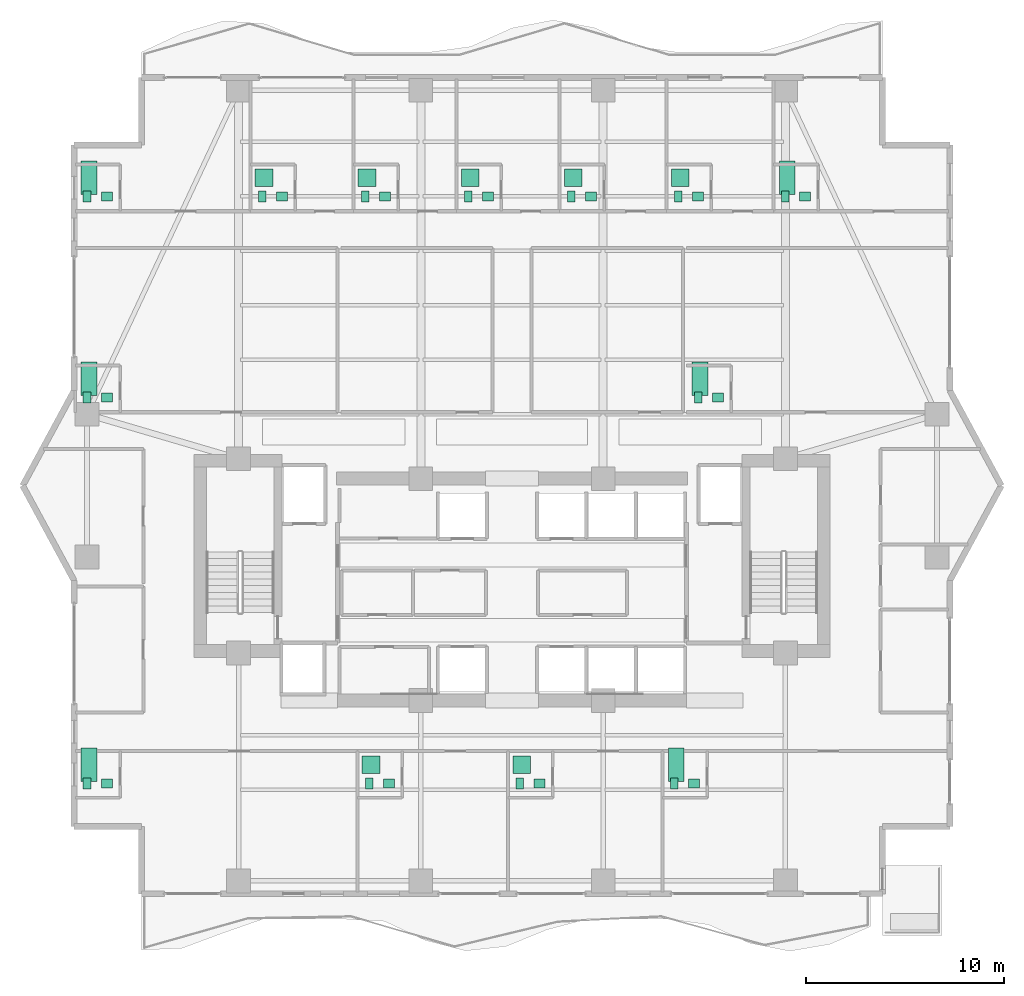
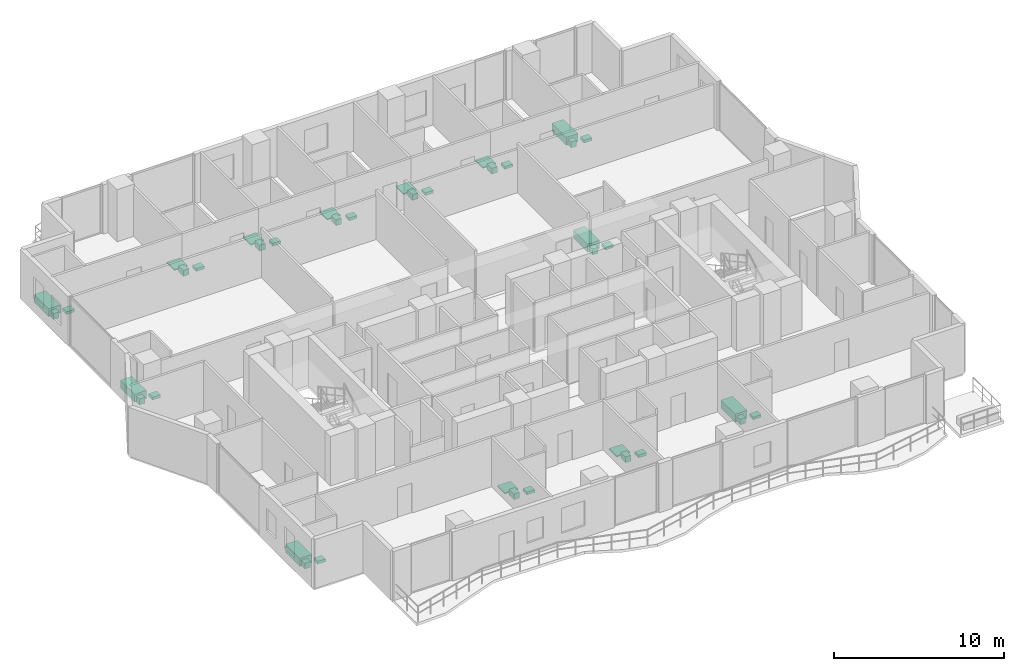
# One storey, part 32 of 32: 39 sanitary terminals.
"""IFC4 building model written with IfcOpenShell, lengths in metres."""

from ifc_helpers import new_model, si_unit, direction, frame, origin, origin_2d, place, context, subcontext, project, spatial, rectangle, extrude, material, type_object, element, save


model = new_model("IFC4")

# Units and contexts
model_context = context("Model", 3, precision=1e-05, world=origin(), true_north=direction((0.0, 1.0)))
body_context = subcontext(model_context, "Body", "Model", "MODEL_VIEW")
ifc_project = project(units=[si_unit("LENGTHUNIT", "METRE"), si_unit("AREAUNIT", "SQUARE_METRE"), si_unit("VOLUMEUNIT", "CUBIC_METRE"), si_unit("PLANEANGLEUNIT", "RADIAN"), si_unit("MASSUNIT", "GRAM", prefix="KILO")], contexts=[model_context])

# Site, building, storey
site_placement = place(None, origin())
site = spatial("IfcSite", under=ifc_project, at=site_placement, CompositionType="ELEMENT")
building_placement = place(site_placement, origin())
building = spatial("IfcBuilding", under=site, at=building_placement, Name="Zuhayl Quay Hotel", CompositionType="ELEMENT")
storey_placement = place(building_placement, frame((0.0, 0.0, 203.64990234375)))
storey = spatial("IfcBuildingStorey", under=building, at=storey_placement, Name="L51", CompositionType="ELEMENT", Elevation=203.64990234375)

# Sanitary terminals
ifc_material = material(Name="Vitreous Porcelain Sanitaryware")
sanitary_terminal_type_1 = type_object("IfcSanitaryTerminalType", Name="SAN_BASIN", PredefinedType="WASHHANDBASIN", material=ifc_material)
for number, where, z_axis, x_axis, name in (
    (1, (-20.449951171875, 27.590087890625, 0.0), (0.0, 0.0, 1.0), (1.0, 0.0, 0.0), "L51 Sanitary Fixture WASHHANDBASIN"),
    (2, (-11.610107421875, 27.590087890625, 0.0), (0.0, 0.0, 1.0), (1.0, 0.0, 0.0), "L51 Sanitary Fixture WASHHANDBASIN"),
    (3, (-6.409912109375, 27.590087890625, 0.0), (0.0, 0.0, 1.0), (1.0, 0.0, 0.0), "L51 Sanitary Fixture WASHHANDBASIN"),
    (4, (-1.2099609375, 27.590087890625, 0.0), (0.0, 0.0, 1.0), (1.0, 0.0, 0.0), "L51 Sanitary Fixture WASHHANDBASIN"),
    (5, (3.989990234375, 27.590087890625, 0.0), (0.0, 0.0, 1.0), (1.0, 0.0, 0.0), "L51 Sanitary Fixture WASHHANDBASIN"),
    (6, (9.389892578125, 27.590087890625, 0.0), (0.0, 0.0, 1.0), (1.0, 0.0, 0.0), "L51 Sanitary Fixture WASHHANDBASIN"),
    (7, (14.7900390625, 27.590087890625, 0.0), (0.0, 0.0, 1.0), (1.0, 0.0, 0.0), "L51 Sanitary Fixture WASHHANDBASIN"),
    (8, (-20.449951171875, 17.43994140625, 0.0), (0.0, 0.0, 1.0), (1.0, 0.0, 0.0), "L51 Sanitary Fixture WASHHANDBASIN"),
    (9, (10.389892578125, 17.43994140625, 0.0), (0.0, 0.0, 1.0), (1.0, 0.0, 0.0), "L51 Sanitary Fixture WASHHANDBASIN"),
    (10, (-20.449951171875, -2.0400390625, 0.0), (0.0, 0.0, 1.0), (1.0, 0.0, 0.0), "L51 Sanitary Fixture WASHHANDBASIN"),
    (11, (-6.2099609375, -2.0400390625, 0.0), (0.0, 0.0, 1.0), (1.0, 0.0, 0.0), "L51 Sanitary Fixture WASHHANDBASIN"),
    (12, (1.389892578125, -2.0400390625, 0.0), (0.0, 0.0, 1.0), (1.0, 0.0, 0.0), "L51 Sanitary Fixture WASHHANDBASIN"),
    (13, (9.18994140625, -2.0400390625, 0.0), (0.0, 0.0, 1.0), (1.0, 0.0, 0.0), "L51 Sanitary Fixture WASHHANDBASIN"),
):
    element("IfcSanitaryTerminal", number, at=place(storey_placement, frame(where, z_axis=z_axis, x_axis=x_axis)), inside=storey, type_object=sanitary_terminal_type_1, Name=name, PredefinedType="WASHHANDBASIN", context=body_context, shape_type="SweptSolid", body=[
        extrude(rectangle(XDim=0.550048828125, YDim=0.449951171875, at=origin_2d()), origin(), (0.0, 0.0, 1.0), 0.199951171875),
    ])
sanitary_terminal_type_2 = type_object("IfcSanitaryTerminalType", Name="SAN_BATH", PredefinedType="BATH", material=ifc_material)
for number, where, z_axis, x_axis, name in (
    (14, (-21.35009765625, 28.5400390625, 0.0), (0.0, 0.0, 1.0), (1.0, 0.0, 0.0), "L51 Sanitary Fixture BATH"),
    (15, (13.889892578125, 28.5400390625, 0.0), (0.0, 0.0, 1.0), (1.0, 0.0, 0.0), "L51 Sanitary Fixture BATH"),
    (16, (-21.35009765625, 18.389892578125, 0.0), (0.0, 0.0, 1.0), (1.0, 0.0, 0.0), "L51 Sanitary Fixture BATH"),
    (17, (9.489990234375, 18.389892578125, 0.0), (0.0, 0.0, 1.0), (1.0, 0.0, 0.0), "L51 Sanitary Fixture BATH"),
    (18, (-21.35009765625, -1.090087890625, 0.0), (0.0, 0.0, 1.0), (1.0, 0.0, 0.0), "L51 Sanitary Fixture BATH"),
    (19, (8.2900390625, -1.090087890625, 0.0), (0.0, 0.0, 1.0), (1.0, 0.0, 0.0), "L51 Sanitary Fixture BATH"),
):
    element("IfcSanitaryTerminal", number, at=place(storey_placement, frame(where, z_axis=z_axis, x_axis=x_axis)), inside=storey, type_object=sanitary_terminal_type_2, Name=name, PredefinedType="BATH", context=body_context, shape_type="SweptSolid", body=[
        extrude(rectangle(XDim=0.800048828125, YDim=1.699951171875, at=origin_2d()), origin(), (0.0, 0.0, 1.0), 0.580078125),
    ])
sanitary_terminal_type_3 = type_object("IfcSanitaryTerminalType", Name="SAN_SHOWER", PredefinedType="SHOWER", material=ifc_material)
for number, where, z_axis, x_axis, name in (
    (20, (-12.510009765625, 28.5400390625, 0.0), (0.0, 0.0, 1.0), (1.0, 0.0, 0.0), "L51 Sanitary Fixture SHOWER"),
    (21, (-7.31005859375, 28.5400390625, 0.0), (0.0, 0.0, 1.0), (1.0, 0.0, 0.0), "L51 Sanitary Fixture SHOWER"),
    (22, (-2.110107421875, 28.5400390625, 0.0), (0.0, 0.0, 1.0), (1.0, 0.0, 0.0), "L51 Sanitary Fixture SHOWER"),
    (23, (3.090087890625, 28.5400390625, 0.0), (0.0, 0.0, 1.0), (1.0, 0.0, 0.0), "L51 Sanitary Fixture SHOWER"),
    (24, (8.489990234375, 28.5400390625, 0.0), (0.0, 0.0, 1.0), (1.0, 0.0, 0.0), "L51 Sanitary Fixture SHOWER"),
    (25, (-7.110107421875, -1.090087890625, 0.0), (0.0, 0.0, 1.0), (1.0, 0.0, 0.0), "L51 Sanitary Fixture SHOWER"),
    (26, (0.489990234375, -1.090087890625, 0.0), (0.0, 0.0, 1.0), (1.0, 0.0, 0.0), "L51 Sanitary Fixture SHOWER"),
):
    element("IfcSanitaryTerminal", number, at=place(storey_placement, frame(where, z_axis=z_axis, x_axis=x_axis)), inside=storey, type_object=sanitary_terminal_type_3, Name=name, PredefinedType="SHOWER", context=body_context, shape_type="SweptSolid", body=[
        extrude(rectangle(XDim=0.89990234375, YDim=0.89990234375, at=origin_2d()), origin(), (0.0, 0.0, 1.0), 0.080078125),
    ])
sanitary_terminal_type_4 = type_object("IfcSanitaryTerminalType", Name="SAN_WC", PredefinedType="TOILETPAN", material=ifc_material)
for number, where, z_axis, x_axis, name in (
    (27, (-21.449951171875, 27.590087890625, 0.000244140625), (0.0, 0.0, 1.0), (1.0, 0.0, 0.0), "L51 Sanitary Fixture TOILETPAN"),
    (28, (-12.610107421875, 27.590087890625, 0.000244140625), (0.0, 0.0, 1.0), (1.0, 0.0, 0.0), "L51 Sanitary Fixture TOILETPAN"),
    (29, (-7.409912109375, 27.590087890625, 0.000244140625), (0.0, 0.0, 1.0), (1.0, 0.0, 0.0), "L51 Sanitary Fixture TOILETPAN"),
    (30, (-2.2099609375, 27.590087890625, 0.000244140625), (0.0, 0.0, 1.0), (1.0, 0.0, 0.0), "L51 Sanitary Fixture TOILETPAN"),
    (31, (2.989990234375, 27.590087890625, 0.000244140625), (0.0, 0.0, 1.0), (1.0, 0.0, 0.0), "L51 Sanitary Fixture TOILETPAN"),
    (32, (8.389892578125, 27.590087890625, 0.000244140625), (0.0, 0.0, 1.0), (1.0, 0.0, 0.0), "L51 Sanitary Fixture TOILETPAN"),
    (33, (13.7900390625, 27.590087890625, 0.000244140625), (0.0, 0.0, 1.0), (1.0, 0.0, 0.0), "L51 Sanitary Fixture TOILETPAN"),
    (34, (-21.449951171875, 17.43994140625, 0.000244140625), (0.0, 0.0, 1.0), (1.0, 0.0, 0.0), "L51 Sanitary Fixture TOILETPAN"),
    (35, (9.389892578125, 17.43994140625, 0.000244140625), (0.0, 0.0, 1.0), (1.0, 0.0, 0.0), "L51 Sanitary Fixture TOILETPAN"),
    (36, (-21.449951171875, -2.0400390625, 0.000244140625), (0.0, 0.0, 1.0), (1.0, 0.0, 0.0), "L51 Sanitary Fixture TOILETPAN"),
    (37, (-7.2099609375, -2.0400390625, 0.000244140625), (0.0, 0.0, 1.0), (1.0, 0.0, 0.0), "L51 Sanitary Fixture TOILETPAN"),
    (38, (0.389892578125, -2.0400390625, 0.000244140625), (0.0, 0.0, 1.0), (1.0, 0.0, 0.0), "L51 Sanitary Fixture TOILETPAN"),
    (39, (8.18994140625, -2.0400390625, 0.000244140625), (0.0, 0.0, 1.0), (1.0, 0.0, 0.0), "L51 Sanitary Fixture TOILETPAN"),
):
    element("IfcSanitaryTerminal", number, at=place(storey_placement, frame(where, z_axis=z_axis, x_axis=x_axis)), inside=storey, type_object=sanitary_terminal_type_4, Name=name, PredefinedType="TOILETPAN", context=body_context, shape_type="SweptSolid", body=[
        extrude(rectangle(XDim=0.3798828125, YDim=0.56005859375, at=origin_2d()), origin(), (0.0, 0.0, 1.0), 0.419921875),
    ])

save(model, "model.ifc")
